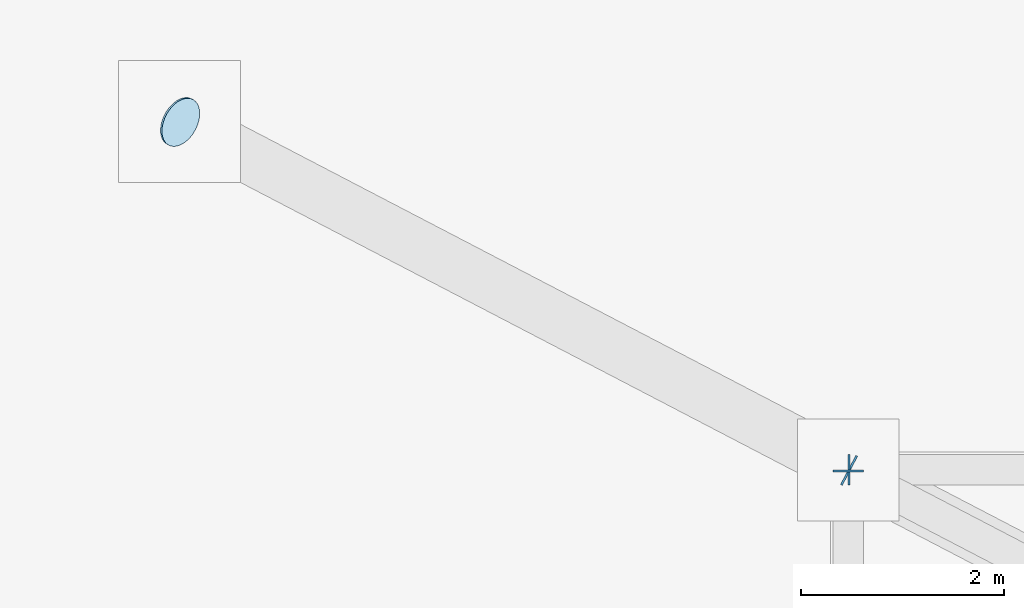
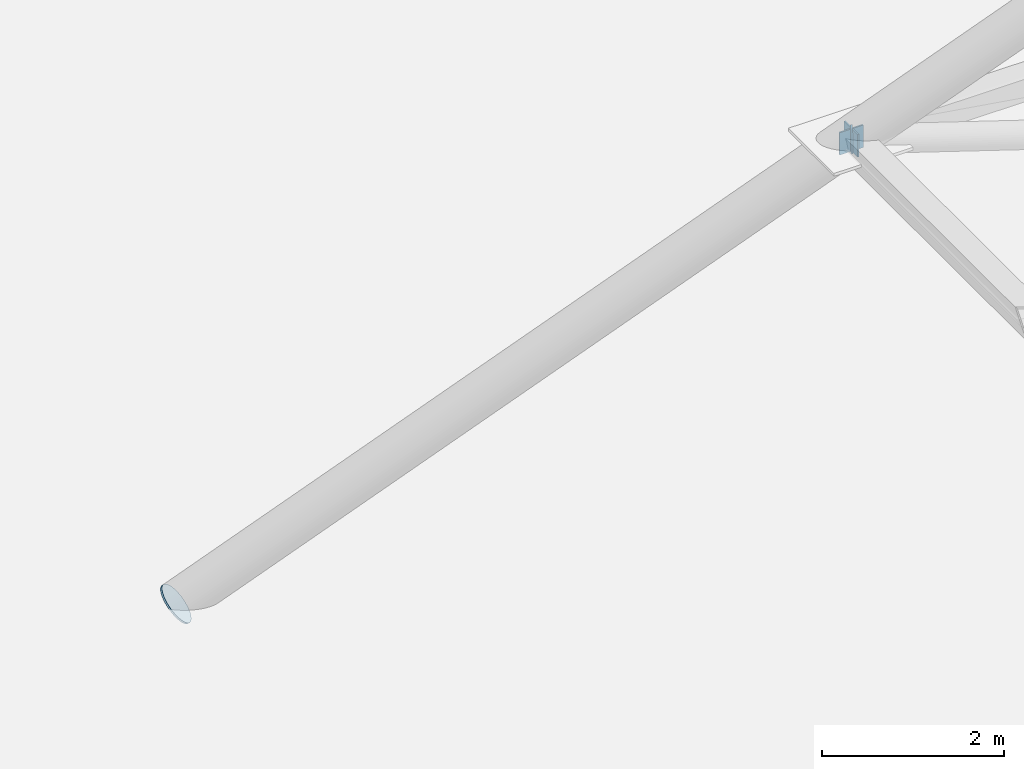
# One storey, part 5 of 8: 4 plates.
"""IFC4 building model written with IfcOpenShell, lengths in metres."""

from ifc_helpers import new_model, si_unit, direction, frame, origin, origin_2d, place, context, subcontext, project, spatial, rectangle, circle, extrude, material, layer, layer_set, type_object, element, save


model = new_model("IFC4")

# Units and contexts
model_context = context("Model", 3, precision=1e-05, world=origin(), true_north=direction((0.0, 1.0)))
body_context = subcontext(model_context, "Body", "Model", "MODEL_VIEW")
ifc_project = project(units=[si_unit("LENGTHUNIT", "METRE"), si_unit("AREAUNIT", "SQUARE_METRE"), si_unit("VOLUMEUNIT", "CUBIC_METRE"), si_unit("PLANEANGLEUNIT", "RADIAN"), si_unit("MASSUNIT", "GRAM", prefix="KILO")], contexts=[model_context])

# Site, building, storey
site_placement = place(None, origin())
site = spatial("IfcSite", under=ifc_project, at=site_placement, CompositionType="ELEMENT")
building_placement = place(site_placement, origin())
building = spatial("IfcBuilding", under=site, at=building_placement, Name="Putna Gate Headquarters", CompositionType="ELEMENT")
storey_placement = place(building_placement, frame((0.0, 0.0, 320.39990234375)))
storey = spatial("IfcBuildingStorey", under=building, at=storey_placement, Name="RF", CompositionType="ELEMENT", Elevation=320.39990234375)

# Plates
ifc_material = material(Name="Steel S355J2", Category="steel")
ifc_layer_1 = layer(ifc_material, 0.02001953125)
ifc_layer_set_1 = layer_set([ifc_layer_1], Name="Steel S355J2")
plate_type_1 = type_object("IfcPlateType", Name="PLT-CAP-EC-C324", PredefinedType="SHEET", material=ifc_layer_set_1)
plate_1_placement = place(storey_placement, frame((32.425048828125, 29.425048828125, 5.987548828125), z_axis=(0.884384752847, -0.466758619558, 0.0), x_axis=(0.466758619558, 0.884384752847, 0.0)))
element("IfcPlate", 1, at=plate_1_placement, inside=storey, type_object=plate_type_1, Name="Needle Spire Radial Brace SD-1 2 End Cap Start", PredefinedType="SHEET", context=body_context, shape_type="SweptSolid", body=[
    extrude(circle(Radius=0.161865234375, at=origin_2d()), origin(), (0.0, 0.0, 1.0), 0.019775390625),
])
ifc_layer_2 = layer(ifc_material, 0.02001953125)
ifc_layer_set_2 = layer_set([ifc_layer_2], Name="Steel S355J2")
plate_type_2 = type_object("IfcPlateType", Name="PLT-CAP-EC-C508", PredefinedType="SHEET", material=ifc_layer_set_2)
plate_2_placement = place(storey_placement, frame((25.85009765625, 32.85009765625, -0.014892578125), z_axis=(0.682115751988, -0.365419152851, 0.633393198274), x_axis=(0.472221412515, 0.881479970029, 0.0)))
element("IfcPlate", 2, at=plate_2_placement, inside=storey, type_object=plate_type_2, Name="Needle Spire Raking Leg SL-1 NW End Cap Start", PredefinedType="SHEET", context=body_context, shape_type="SweptSolid", body=[
    extrude(circle(Radius=0.25390625, at=origin_2d()), origin(), (0.0, 0.0, 1.0), 0.02001953125),
])
ifc_layer_3 = layer(ifc_material, 0.02001953125)
ifc_layer_set_3 = layer_set([ifc_layer_3], Name="Steel S355J2")
plate_type_3 = type_object("IfcPlateType", Name="PLT-CAP-EC-S300", PredefinedType="SHEET", material=ifc_layer_set_3)
for number, where, z_axis, x_axis, name in (
    (3, (32.425048828125, 29.405029296875, 5.987548828125), (0.0, 1.0, 0.0), (-1.0, 0.0, 0.0), "Needle Spire Mid Ring Chord SR-1 1 End Cap End"),
    (4, (32.425048828125, 29.425048828125, 5.987548828125), (1.0, 0.0, 0.0), (0.0, 1.0, 0.0), "Needle Spire Mid Ring Chord SR-1 2 End Cap Start"),
):
    element("IfcPlate", number, at=place(storey_placement, frame(where, z_axis=z_axis, x_axis=x_axis)), inside=storey, type_object=plate_type_3, Name=name, PredefinedType="SHEET", context=body_context, shape_type="SweptSolid", body=[
        extrude(rectangle(XDim=0.300048828125, YDim=0.300048828125, at=origin_2d()), origin(), (0.0, 0.0, 1.0), 0.02001953125),
    ])

save(model, "model.ifc")
